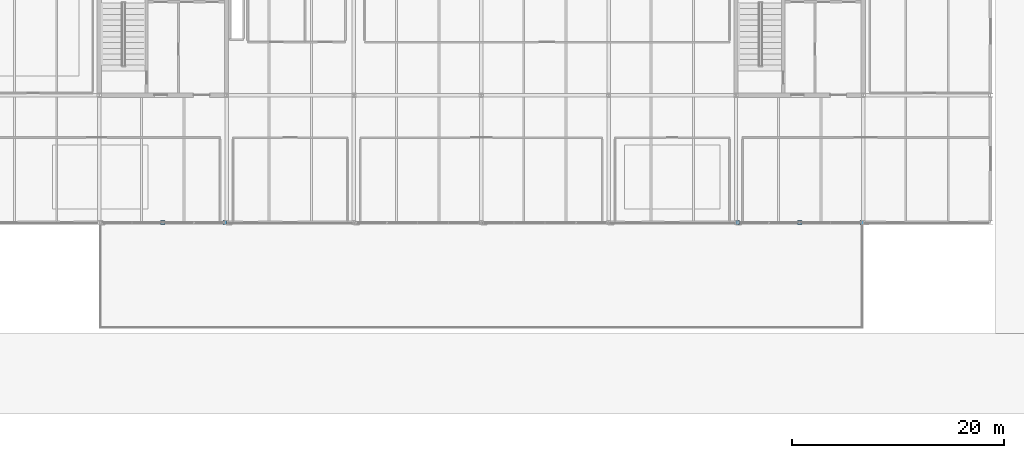
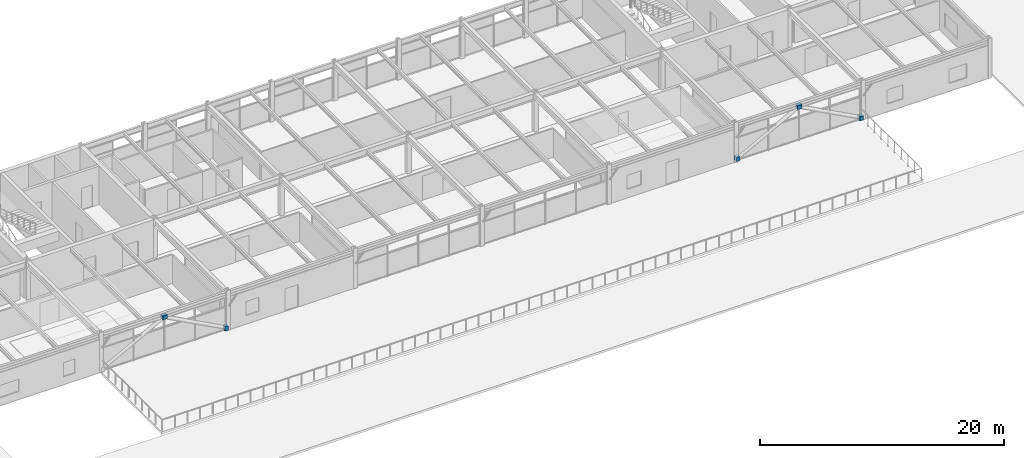
# One storey, part 26 of 30: 5 discrete accessories.
"""IFC4 building model written with IfcOpenShell, lengths in metres."""

from ifc_helpers import new_model, si_unit, direction, frame, origin, origin_2d, place, context, subcontext, project, spatial, rectangle, extrude, material, type_object, element, save


model = new_model("IFC4")

# Units and contexts
model_context = context("Model", 3, precision=1e-05, world=origin(), true_north=direction((0.0, 1.0)))
body_context = subcontext(model_context, "Body", "Model", "MODEL_VIEW")
ifc_project = project(units=[si_unit("LENGTHUNIT", "METRE"), si_unit("AREAUNIT", "SQUARE_METRE"), si_unit("VOLUMEUNIT", "CUBIC_METRE"), si_unit("PLANEANGLEUNIT", "RADIAN"), si_unit("MASSUNIT", "GRAM", prefix="KILO")], contexts=[model_context])

# Site, building, storey
site_placement = place(None, origin())
site = spatial("IfcSite", under=ifc_project, at=site_placement, CompositionType="ELEMENT")
building_placement = place(site_placement, origin())
building = spatial("IfcBuilding", under=site, at=building_placement, Name="Girod Span Mobility Hub", CompositionType="ELEMENT")
storey_placement = place(building_placement, frame((0.0, 0.0, 49.60009765625)))
storey = spatial("IfcBuildingStorey", under=building, at=storey_placement, Name="L12", CompositionType="ELEMENT", Elevation=49.60009765625)

# Discrete accessories
ifc_material = material(Name="Steel HSS A500 Grade C", Category="steel")
discrete_accessory_type = type_object("IfcDiscreteAccessoryType", Name="ACC-CAP-HSS324", PredefinedType="BRACKET", material=ifc_material)
discrete_accessory_1_placement = place(storey_placement, frame((59.837646484375, 45.0, 0.0400390625), z_axis=(0.0, 0.0, 1.0), x_axis=(1.0, 0.0, 0.0)))
element("IfcDiscreteAccessory", 1, at=discrete_accessory_1_placement, inside=storey, type_object=discrete_accessory_type, Name="Diagrid Brace End Cap Gusset 5/D-R L12", PredefinedType="BRACKET", context=body_context, shape_type="SweptSolid", body=[
    extrude(rectangle(XDim=0.344482421875, YDim=0.360107421875, at=origin_2d()), origin(), (0.0, 0.0, 1.0), 0.419921875),
])
discrete_accessory_2_placement = place(storey_placement, frame((54.0, 45.0, 3.200927734375), z_axis=(0.0, 0.0, 1.0), x_axis=(1.0, 0.0, 0.0)))
element("IfcDiscreteAccessory", 2, at=discrete_accessory_2_placement, inside=storey, type_object=discrete_accessory_type, Name="Diagrid Brace Apex End Cap Gusset 5/D-M L12", PredefinedType="BRACKET", context=body_context, shape_type="SweptSolid", body=[
    extrude(rectangle(XDim=0.43994140625, YDim=0.360107421875, at=origin_2d()), origin(), (0.0, 0.0, 1.0), 0.3798828125),
])
for number, where, z_axis, x_axis, name in (
    (3, (108.162353515625, 45.0, 0.0400390625), (0.0, 0.0, 1.0), (1.0, 0.0, 0.0), "Diagrid Brace End Cap Gusset 10/D-L L12"),
    (4, (119.837646484375, 45.0, 0.0400390625), (0.0, 0.0, 1.0), (1.0, 0.0, 0.0), "Diagrid Brace End Cap Gusset 10/D-R L12"),
):
    element("IfcDiscreteAccessory", number, at=place(storey_placement, frame(where, z_axis=z_axis, x_axis=x_axis)), inside=storey, type_object=discrete_accessory_type, Name=name, PredefinedType="BRACKET", context=body_context, shape_type="SweptSolid", body=[
        extrude(rectangle(XDim=0.344482421875, YDim=0.360107421875, at=origin_2d()), origin(), (0.0, 0.0, 1.0), 0.419921875),
    ])
discrete_accessory_3_placement = place(storey_placement, frame((114.0, 45.0, 3.200927734375), z_axis=(0.0, 0.0, 1.0), x_axis=(1.0, 0.0, 0.0)))
element("IfcDiscreteAccessory", 5, at=discrete_accessory_3_placement, inside=storey, type_object=discrete_accessory_type, Name="Diagrid Brace Apex End Cap Gusset 10/D-M L12", PredefinedType="BRACKET", context=body_context, shape_type="SweptSolid", body=[
    extrude(rectangle(XDim=0.43994140625, YDim=0.360107421875, at=origin_2d()), origin(), (0.0, 0.0, 1.0), 0.3798828125),
])

save(model, "model.ifc")
